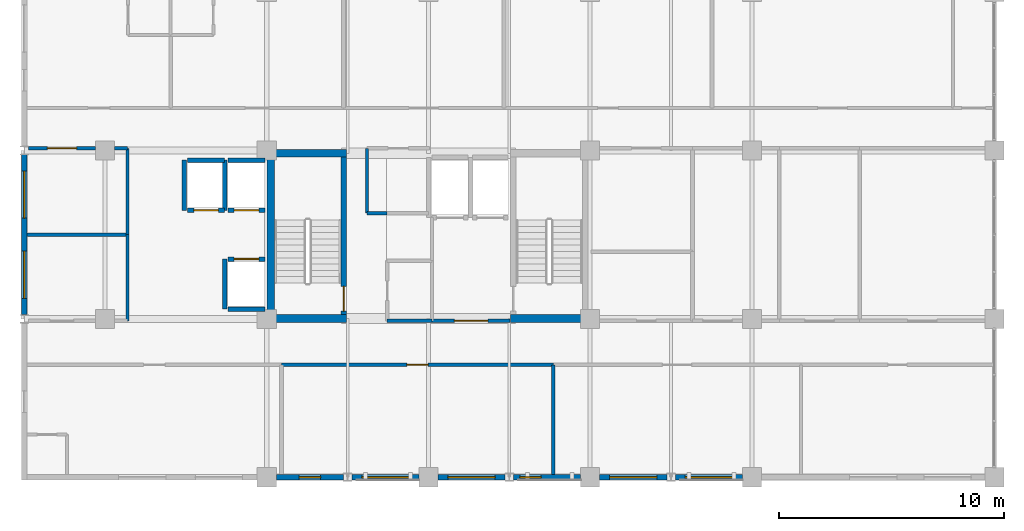
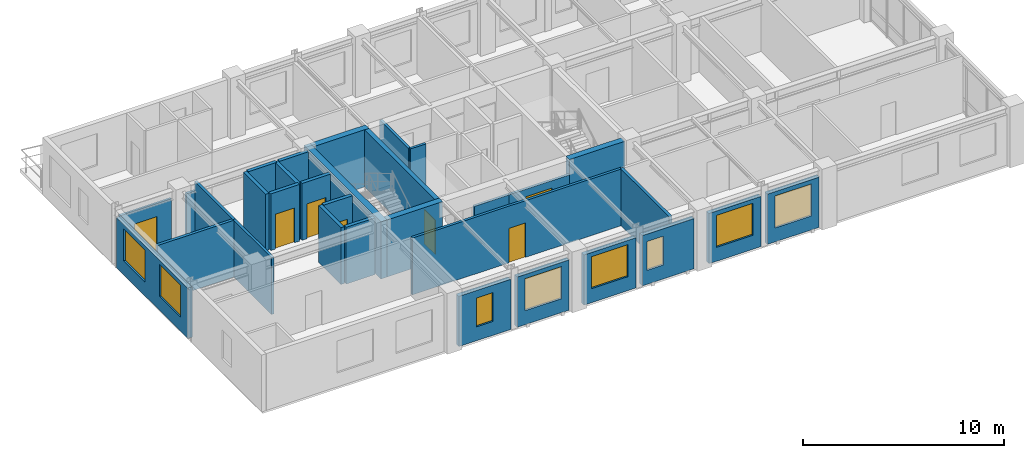
# One storey, part 6 of 11: 32 walls, 8 windows, 7 doors, 15 openings.
"""IFC4 building model written with IfcOpenShell, lengths in metres."""

from ifc_helpers import new_model, si_unit, direction, frame, frame_2d, origin, place, context, subcontext, project, spatial, rectangle, extrude, material, layer, layer_set, type_object, element, fill, save


model = new_model("IFC4")

# Units and contexts
model_context = context("Model", 3, precision=1e-05, world=origin(), true_north=direction((0.0, 1.0)))
body_context = subcontext(model_context, "Body", "Model", "MODEL_VIEW")
ifc_project = project(units=[si_unit("LENGTHUNIT", "METRE"), si_unit("AREAUNIT", "SQUARE_METRE"), si_unit("VOLUMEUNIT", "CUBIC_METRE"), si_unit("PLANEANGLEUNIT", "RADIAN"), si_unit("MASSUNIT", "GRAM", prefix="KILO")], contexts=[model_context])

# Site, building, storey
site_placement = place(None, origin())
site = spatial("IfcSite", under=ifc_project, at=site_placement, CompositionType="ELEMENT")
building_placement = place(site_placement, origin())
building = spatial("IfcBuilding", under=site, at=building_placement, Name="Kaliganga Portal Commons", CompositionType="ELEMENT")
storey_placement = place(building_placement, frame((0.0, 0.0, 272.10009765625)))
storey = spatial("IfcBuildingStorey", under=building, at=storey_placement, Name="L70", CompositionType="ELEMENT", Elevation=272.10009765625)

# Walls
ifc_material_1 = material(Name="Concrete C50/60", Category="concrete")
ifc_layer_1 = layer(ifc_material_1, 0.35009765625)
ifc_layer_set_1 = layer_set([ifc_layer_1], Name="Concrete C50/60")
wall_type_1 = type_object("IfcWallType", Name="WL-CORE-350", PredefinedType="SHEAR", material=ifc_layer_set_1)
wall_1_placement = place(storey_placement, frame((14.574951171875, 28.5, 0.0), z_axis=(0.0, 0.0, 1.0), x_axis=(0.0, 1.0, 0.0)))
element("IfcWall", 1, at=wall_1_placement, inside=storey, type_object=wall_type_1, Name="Core A West Shear Wall L70", PredefinedType="SHEAR", context=body_context, shape_type="SweptSolid", body=[
    extrude(rectangle(XDim=7.699951171875, YDim=0.35009765625, at=frame_2d((3.85009765625, 0.0))), origin(), (0.0, 0.0, 1.0), 3.474853515625),
])
for number, where, z_axis, x_axis, name in (
    (2, (14.75, 28.675048828125, 0.0), (0.0, 0.0, 1.0), (1.0, 0.0, 0.0), "Core A S-West Shear Wall L70"),
    (3, (25.25, 28.675048828125, 0.0), (0.0, 0.0, 1.0), (1.0, 0.0, 0.0), "Core A S-East Shear Wall L70"),
    (4, (14.75, 36.02490234375, 0.0), (0.0, 0.0, 1.0), (1.0, 0.0, 0.0), "Core A N-West Shear Wall L70"),
):
    element("IfcWall", number, at=place(storey_placement, frame(where, z_axis=z_axis, x_axis=x_axis)), inside=storey, type_object=wall_type_1, Name=name, PredefinedType="SHEAR", context=body_context, shape_type="SweptSolid", body=[
        extrude(rectangle(XDim=3.199951171875, YDim=0.35009765625, at=frame_2d((1.60009765625, 0.0))), origin(), (0.0, 0.0, 1.0), 3.474853515625),
    ])

# Wall, opening, window
ifc_material_2 = material(Name="Insulated Aluminium-Clad Spandrel Assembly", Category="aluminium")
ifc_layer_2 = layer(ifc_material_2, 0.260009765625)
ifc_layer_set_2 = layer_set([ifc_layer_2], Name="Insulated Aluminium-Clad Spandrel Assembly")
wall_type_2 = type_object("IfcWallType", Name="WL-EXT-SPAND-260", PredefinedType="STANDARD", material=ifc_layer_set_2)
wall_2_placement = place(storey_placement, frame((17.81201171875, 21.60009765625, 0.0), z_axis=(0.0, 0.0, 1.0), x_axis=(-1.0, 0.0, 0.0)))
wall_2 = element("IfcWall", 5, at=wall_2_placement, inside=storey, type_object=wall_type_2, Name="Exterior Envelope Wall L70 P1-E00-S2", PredefinedType="STANDARD", context=body_context, shape_type="SweptSolid", body=[
    extrude(rectangle(XDim=2.986083984375, YDim=0.260009765625, at=frame_2d((1.4931640625, 0.0))), origin(), (0.0, 0.0, 1.0), 3.054931640625),
])
opening_1_placement = place(wall_2_placement, frame((1.01806640625, 0.0, 0.85009765625)))
opening_1 = element("IfcOpeningElement", 6, at=opening_1_placement, cuts=wall_2, Name="Opening W-04", PredefinedType="OPENING", context=body_context, shape_type="SweptSolid", body=[
    extrude(rectangle(XDim=0.949951171875, YDim=1.75, at=frame_2d((0.47509765625, 0.875))), frame((0.0, 0.14013671875, 0.0), z_axis=(0.0, -1.0, 0.0), x_axis=(1.0, 0.0, 0.0)), (0.0, 0.0, 1.0), 0.280029296875),
])
ifc_material_3 = material(Name="Thermally Broken Aluminium and Low-E Double Glazing", Category="aluminium")
window_type_1 = type_object("IfcWindowType", Name="WIN-NARROW-950", PartitioningType="SINGLE_PANEL", PredefinedType="WINDOW", material=ifc_material_3)
window_1_placement = place(opening_1_placement, origin())
window_1 = element("IfcWindow", 7, at=window_1_placement, inside=storey, type_object=window_type_1, Name="Facade Window L70-P1E00S2-N0", OverallHeight=1.75, OverallWidth=0.949951171875, PartitioningType="SINGLE_PANEL", PredefinedType="WINDOW", context=body_context, shape_type="SweptSolid", body=[
    extrude(rectangle(XDim=0.949951171875, YDim=1.75, at=frame_2d((0.47509765625, 0.875))), frame((0.0, 0.030029296875, 0.0), z_axis=(0.0, -1.0, 0.0), x_axis=(1.0, 0.0, 0.0)), (0.0, 0.0, 1.0), 0.06005859375),
])
fill(opening_1, window_1)

wall_3_placement = place(storey_placement, frame((21.174072265625, 21.60009765625, 0.0), z_axis=(0.0, 0.0, 1.0), x_axis=(-1.0, 0.0, 0.0)))
wall_3 = element("IfcWall", 8, at=wall_3_placement, inside=storey, type_object=wall_type_2, Name="Exterior Envelope Wall L70 P1-E00-S3", PredefinedType="STANDARD", context=body_context, shape_type="SweptSolid", body=[
    extrude(rectangle(XDim=2.986083984375, YDim=0.260009765625, at=frame_2d((1.4931640625, 0.0))), origin(), (0.0, 0.0, 1.0), 3.054931640625),
])
opening_2_placement = place(wall_3_placement, frame((0.443115234375, 0.0, 0.85009765625)))
opening_2 = element("IfcOpeningElement", 9, at=opening_2_placement, cuts=wall_3, Name="Opening W-06", PredefinedType="OPENING", context=body_context, shape_type="SweptSolid", body=[
    extrude(rectangle(XDim=2.10009765625, YDim=1.949951171875, at=frame_2d((1.050048828125, 0.97509765625))), frame((0.0, 0.14013671875, 0.0), z_axis=(0.0, -1.0, 0.0), x_axis=(1.0, 0.0, 0.0)), (0.0, 0.0, 1.0), 0.280029296875),
])
window_type_2 = type_object("IfcWindowType", Name="WIN-PAN-2100", PartitioningType="DOUBLE_PANEL_VERTICAL", PredefinedType="WINDOW", material=ifc_material_3)
window_2_placement = place(opening_2_placement, origin())
window_2 = element("IfcWindow", 10, at=window_2_placement, inside=storey, type_object=window_type_2, Name="Facade Window L70-P1E00S3-00", OverallHeight=1.949951171875, OverallWidth=2.10009765625, PartitioningType="SINGLE_PANEL", PredefinedType="WINDOW", context=body_context, shape_type="SweptSolid", body=[
    extrude(rectangle(XDim=2.10009765625, YDim=1.949951171875, at=frame_2d((1.050048828125, 0.97509765625))), frame((0.0, 0.030029296875, 0.0), z_axis=(0.0, -1.0, 0.0), x_axis=(1.0, 0.0, 0.0)), (0.0, 0.0, 1.0), 0.06005859375),
])
fill(opening_2, window_2)

wall_4_placement = place(storey_placement, frame((25.011962890625, 21.60009765625, 0.0), z_axis=(0.0, 0.0, 1.0), x_axis=(-1.0, 0.0, 0.0)))
wall_4 = element("IfcWall", 11, at=wall_4_placement, inside=storey, type_object=wall_type_2, Name="Exterior Envelope Wall L70 P1-E00-S4", PredefinedType="STANDARD", context=body_context, shape_type="SweptSolid", body=[
    extrude(rectangle(XDim=2.986083984375, YDim=0.260009765625, at=frame_2d((1.4931640625, 0.0))), origin(), (0.0, 0.0, 1.0), 3.054931640625),
])
opening_3_placement = place(wall_4_placement, frame((0.443115234375, 0.0, 0.85009765625)))
opening_3 = element("IfcOpeningElement", 12, at=opening_3_placement, cuts=wall_4, Name="Opening W-06", PredefinedType="OPENING", context=body_context, shape_type="SweptSolid", body=[
    extrude(rectangle(XDim=2.10009765625, YDim=1.949951171875, at=frame_2d((1.050048828125, 0.97509765625))), frame((0.0, 0.14013671875, 0.0), z_axis=(0.0, -1.0, 0.0), x_axis=(1.0, 0.0, 0.0)), (0.0, 0.0, 1.0), 0.280029296875),
])
window_3_placement = place(opening_3_placement, origin())
window_3 = element("IfcWindow", 13, at=window_3_placement, inside=storey, type_object=window_type_2, Name="Facade Window L70-P1E00S4-00", OverallHeight=1.949951171875, OverallWidth=2.10009765625, PartitioningType="SINGLE_PANEL", PredefinedType="WINDOW", context=body_context, shape_type="SweptSolid", body=[
    extrude(rectangle(XDim=2.10009765625, YDim=1.949951171875, at=frame_2d((1.050048828125, 0.97509765625))), frame((0.0, 0.030029296875, 0.0), z_axis=(0.0, -1.0, 0.0), x_axis=(1.0, 0.0, 0.0)), (0.0, 0.0, 1.0), 0.06005859375),
])
fill(opening_3, window_3)

wall_5_placement = place(storey_placement, frame((28.3740234375, 21.60009765625, 0.0), z_axis=(0.0, 0.0, 1.0), x_axis=(-1.0, 0.0, 0.0)))
wall_5 = element("IfcWall", 14, at=wall_5_placement, inside=storey, type_object=wall_type_2, Name="Exterior Envelope Wall L70 P1-E00-S5", PredefinedType="STANDARD", context=body_context, shape_type="SweptSolid", body=[
    extrude(rectangle(XDim=2.986083984375, YDim=0.260009765625, at=frame_2d((1.4931640625, 0.0))), origin(), (0.0, 0.0, 1.0), 3.054931640625),
])
opening_4_placement = place(wall_5_placement, frame((1.758544921875, 0.0, 0.85009765625)))
opening_4 = element("IfcOpeningElement", 15, at=opening_4_placement, cuts=wall_5, Name="Opening W-04", PredefinedType="OPENING", context=body_context, shape_type="SweptSolid", body=[
    extrude(rectangle(XDim=0.949951171875, YDim=1.75, at=frame_2d((0.47509765625, 0.875))), frame((0.0, 0.14013671875, 0.0), z_axis=(0.0, -1.0, 0.0), x_axis=(1.0, 0.0, 0.0)), (0.0, 0.0, 1.0), 0.280029296875),
])
window_4_placement = place(opening_4_placement, origin())
window_4 = element("IfcWindow", 16, at=window_4_placement, inside=storey, type_object=window_type_1, Name="Facade Window L70-P1E00S5-N2", OverallHeight=1.75, OverallWidth=0.949951171875, PartitioningType="SINGLE_PANEL", PredefinedType="WINDOW", context=body_context, shape_type="SweptSolid", body=[
    extrude(rectangle(XDim=0.949951171875, YDim=1.75, at=frame_2d((0.47509765625, 0.875))), frame((0.0, 0.030029296875, 0.0), z_axis=(0.0, -1.0, 0.0), x_axis=(1.0, 0.0, 0.0)), (0.0, 0.0, 1.0), 0.06005859375),
])
fill(opening_4, window_4)

wall_6_placement = place(storey_placement, frame((32.2119140625, 21.60009765625, 0.0), z_axis=(0.0, 0.0, 1.0), x_axis=(-1.0, 0.0, 0.0)))
wall_6 = element("IfcWall", 17, at=wall_6_placement, inside=storey, type_object=wall_type_2, Name="Exterior Envelope Wall L70 P1-E00-S6", PredefinedType="STANDARD", context=body_context, shape_type="SweptSolid", body=[
    extrude(rectangle(XDim=2.98583984375, YDim=0.260009765625, at=frame_2d((1.492919921875, 0.0))), origin(), (0.0, 0.0, 1.0), 3.054931640625),
])
opening_5_placement = place(wall_6_placement, frame((0.443115234375, 0.0, 0.85009765625)))
opening_5 = element("IfcOpeningElement", 18, at=opening_5_placement, cuts=wall_6, Name="Opening W-06", PredefinedType="OPENING", context=body_context, shape_type="SweptSolid", body=[
    extrude(rectangle(XDim=2.10009765625, YDim=1.949951171875, at=frame_2d((1.050048828125, 0.97509765625))), frame((0.0, 0.14013671875, 0.0), z_axis=(0.0, -1.0, 0.0), x_axis=(1.0, 0.0, 0.0)), (0.0, 0.0, 1.0), 0.280029296875),
])
window_5_placement = place(opening_5_placement, origin())
window_5 = element("IfcWindow", 19, at=window_5_placement, inside=storey, type_object=window_type_2, Name="Facade Window L70-P1E00S6-00", OverallHeight=1.949951171875, OverallWidth=2.10009765625, PartitioningType="SINGLE_PANEL", PredefinedType="WINDOW", context=body_context, shape_type="SweptSolid", body=[
    extrude(rectangle(XDim=2.10009765625, YDim=1.949951171875, at=frame_2d((1.050048828125, 0.97509765625))), frame((0.0, 0.030029296875, 0.0), z_axis=(0.0, -1.0, 0.0), x_axis=(1.0, 0.0, 0.0)), (0.0, 0.0, 1.0), 0.06005859375),
])
fill(opening_5, window_5)

wall_7_placement = place(storey_placement, frame((35.573974609375, 21.60009765625, 0.0), z_axis=(0.0, 0.0, 1.0), x_axis=(-1.0, 0.0, 0.0)))
wall_7 = element("IfcWall", 20, at=wall_7_placement, inside=storey, type_object=wall_type_2, Name="Exterior Envelope Wall L70 P1-E00-S7", PredefinedType="STANDARD", context=body_context, shape_type="SweptSolid", body=[
    extrude(rectangle(XDim=2.986083984375, YDim=0.260009765625, at=frame_2d((1.4931640625, 0.0))), origin(), (0.0, 0.0, 1.0), 3.054931640625),
])
opening_6_placement = place(wall_7_placement, frame((0.443115234375, 0.0, 0.85009765625)))
opening_6 = element("IfcOpeningElement", 21, at=opening_6_placement, cuts=wall_7, Name="Opening W-06", PredefinedType="OPENING", context=body_context, shape_type="SweptSolid", body=[
    extrude(rectangle(XDim=2.10009765625, YDim=1.949951171875, at=frame_2d((1.050048828125, 0.97509765625))), frame((0.0, 0.14013671875, 0.0), z_axis=(0.0, -1.0, 0.0), x_axis=(1.0, 0.0, 0.0)), (0.0, 0.0, 1.0), 0.280029296875),
])
window_6_placement = place(opening_6_placement, origin())
window_6 = element("IfcWindow", 22, at=window_6_placement, inside=storey, type_object=window_type_2, Name="Facade Window L70-P1E00S7-00", OverallHeight=1.949951171875, OverallWidth=2.10009765625, PartitioningType="SINGLE_PANEL", PredefinedType="WINDOW", context=body_context, shape_type="SweptSolid", body=[
    extrude(rectangle(XDim=2.10009765625, YDim=1.949951171875, at=frame_2d((1.050048828125, 0.97509765625))), frame((0.0, 0.030029296875, 0.0), z_axis=(0.0, -1.0, 0.0), x_axis=(1.0, 0.0, 0.0)), (0.0, 0.0, 1.0), 0.06005859375),
])
fill(opening_6, window_6)

# Wall, openings, windows
wall_8_placement = place(storey_placement, frame((3.60009765625, 28.8369140625, 0.0), z_axis=(0.0, 0.0, 1.0), x_axis=(0.0, 1.0, 0.0)))
wall_8 = element("IfcWall", 23, at=wall_8_placement, inside=storey, type_object=wall_type_2, Name="Exterior Envelope Wall L70 P1-E03-S2", PredefinedType="STANDARD", context=body_context, shape_type="SweptSolid", body=[
    extrude(rectangle(XDim=7.1259765625, YDim=0.260009765625, at=frame_2d((3.56298828125, 0.0))), origin(), (0.0, 0.0, 1.0), 3.054931640625),
])
opening_7_placement = place(wall_8_placement, frame((0.7314453125, 0.0, 0.85009765625)))
opening_7 = element("IfcOpeningElement", 24, at=opening_7_placement, cuts=wall_8, Name="Opening W-06", PredefinedType="OPENING", context=body_context, shape_type="SweptSolid", body=[
    extrude(rectangle(XDim=2.10009765625, YDim=1.949951171875, at=frame_2d((1.050048828125, 0.97509765625))), frame((0.0, 0.14013671875, 0.0), z_axis=(0.0, -1.0, 0.0), x_axis=(1.0, 0.0, 0.0)), (0.0, 0.0, 1.0), 0.280029296875),
])
opening_8_placement = place(wall_8_placement, frame((4.29443359375, 0.0, 0.85009765625)))
opening_8 = element("IfcOpeningElement", 25, at=opening_8_placement, cuts=wall_8, Name="Opening W-06", PredefinedType="OPENING", context=body_context, shape_type="SweptSolid", body=[
    extrude(rectangle(XDim=2.10009765625, YDim=1.949951171875, at=frame_2d((1.050048828125, 0.97509765625))), frame((0.0, 0.14013671875, 0.0), z_axis=(0.0, -1.0, 0.0), x_axis=(1.0, 0.0, 0.0)), (0.0, 0.0, 1.0), 0.280029296875),
])
window_7_placement = place(opening_7_placement, origin())
window_7 = element("IfcWindow", 26, at=window_7_placement, inside=storey, type_object=window_type_2, Name="Facade Window L70-P1E03S2-00", OverallHeight=1.949951171875, OverallWidth=2.10009765625, PartitioningType="SINGLE_PANEL", PredefinedType="WINDOW", context=body_context, shape_type="SweptSolid", body=[
    extrude(rectangle(XDim=2.10009765625, YDim=1.949951171875, at=frame_2d((1.050048828125, 0.97509765625))), frame((0.0, 0.030029296875, 0.0), z_axis=(0.0, -1.0, 0.0), x_axis=(1.0, 0.0, 0.0)), (0.0, 0.0, 1.0), 0.06005859375),
])
fill(opening_7, window_7)
window_8_placement = place(opening_8_placement, origin())
window_8 = element("IfcWindow", 27, at=window_8_placement, inside=storey, type_object=window_type_2, Name="Facade Window L70-P1E03S2-01", OverallHeight=1.949951171875, OverallWidth=2.10009765625, PartitioningType="SINGLE_PANEL", PredefinedType="WINDOW", context=body_context, shape_type="SweptSolid", body=[
    extrude(rectangle(XDim=2.10009765625, YDim=1.949951171875, at=frame_2d((1.050048828125, 0.97509765625))), frame((0.0, 0.030029296875, 0.0), z_axis=(0.0, -1.0, 0.0), x_axis=(1.0, 0.0, 0.0)), (0.0, 0.0, 1.0), 0.06005859375),
])
fill(opening_8, window_8)

# Wall, opening, door
ifc_material_4 = material(Name="Fire-Rated Gypsum Board on Steel Stud", Category="steel")
ifc_layer_3 = layer(ifc_material_4, 0.14990234375)
ifc_layer_set_3 = layer_set([ifc_layer_3], Name="Fire-Rated Gypsum Board on Steel Stud")
wall_type_3 = type_object("IfcWallType", Name="WL-PART-CORR-150", PredefinedType="PARTITIONING", material=ifc_layer_set_3)
wall_9_placement = place(storey_placement, frame((15.06005859375, 26.60009765625, 0.0), z_axis=(0.0, 0.0, 1.0), x_axis=(1.0, 0.0, 0.0)))
wall_9 = element("IfcWall", 28, at=wall_9_placement, inside=storey, type_object=wall_type_3, Name="Interior Partition L70-008", PredefinedType="PARTITIONING", context=body_context, shape_type="SweptSolid", body=[
    extrude(rectangle(XDim=12.099853515625, YDim=0.14990234375, at=frame_2d((6.0498046875, 0.0))), origin(), (0.0, 0.0, 1.0), 3.454833984375),
])
opening_9_placement = place(wall_9_placement, frame((5.574951171875, 0.0, 0.0)))
opening_9 = element("IfcOpeningElement", 29, at=opening_9_placement, cuts=wall_9, Name="Opening UD-01", PredefinedType="OPENING", context=body_context, shape_type="SweptSolid", body=[
    extrude(rectangle(XDim=0.949951171875, YDim=2.10009765625, at=frame_2d((0.47509765625, 1.050048828125))), frame((0.0, 0.0849609375, 0.0), z_axis=(0.0, -1.0, 0.0), x_axis=(1.0, 0.0, 0.0)), (0.0, 0.0, 1.0), 0.169921875),
])
ifc_material_5 = material(Name="Solid-Core Timber Acoustic Fire Door", Category="wood")
door_type_1 = type_object("IfcDoorType", Name="DR-UNIT-950", OperationType="NOTDEFINED", PredefinedType="DOOR", material=ifc_material_5)
door_1_placement = place(opening_9_placement, origin())
door_1 = element("IfcDoor", 30, at=door_1_placement, inside=storey, type_object=door_type_1, Name="Interior Door L70-AS02", OperationType="SINGLE_SWING_RIGHT", OverallHeight=2.10009765625, OverallWidth=0.949951171875, PredefinedType="DOOR", context=body_context, shape_type="SweptSolid", body=[
    extrude(rectangle(XDim=0.949951171875, YDim=2.10009765625, at=frame_2d((0.47509765625, 1.050048828125))), frame((0.0, 0.02490234375, 0.0), z_axis=(0.0, -1.0, 0.0), x_axis=(1.0, 0.0, 0.0)), (0.0, 0.0, 1.0), 0.050048828125),
])
fill(opening_9, door_1)

wall_10_placement = place(storey_placement, frame((3.787109375, 36.239990234375, 0.0), z_axis=(0.0, 0.0, 1.0), x_axis=(1.0, 0.0, 0.0)))
wall_10 = element("IfcWall", 31, at=wall_10_placement, inside=storey, type_object=wall_type_3, Name="Interior Partition L70-021", PredefinedType="PARTITIONING", context=body_context, shape_type="SweptSolid", body=[
    extrude(rectangle(XDim=2.98779296875, YDim=0.14990234375, at=frame_2d((1.493896484375, 0.0))), origin(), (0.0, 0.0, 1.0), 2.90478515625),
])
opening_10_placement = place(wall_10_placement, frame((0.843994140625, 0.0, 0.0)))
opening_10 = element("IfcOpeningElement", 32, at=opening_10_placement, cuts=wall_10, Name="Opening RD-03", PredefinedType="OPENING", context=body_context, shape_type="SweptSolid", body=[
    extrude(rectangle(XDim=1.300048828125, YDim=2.1201171875, at=frame_2d((0.64990234375, 1.06005859375))), frame((0.0, 0.0849609375, 0.0), z_axis=(0.0, -1.0, 0.0), x_axis=(1.0, 0.0, 0.0)), (0.0, 0.0, 1.0), 0.169921875),
])
ifc_material_6 = material(Name="Glazed Timber Seminar Vision Door", Category="wood")
door_type_2 = type_object("IfcDoorType", Name="DR-STUDY-1300", OperationType="DOUBLE_DOOR_SINGLE_SWING", PredefinedType="DOOR", material=ifc_material_6)
door_2_placement = place(opening_10_placement, origin())
door_2 = element("IfcDoor", 33, at=door_2_placement, inside=storey, type_object=door_type_2, Name="Interior Door L70-AW02", OperationType="DOUBLE_DOOR_SINGLE_SWING", OverallHeight=2.1201171875, OverallWidth=1.300048828125, PredefinedType="DOOR", context=body_context, shape_type="SweptSolid", body=[
    extrude(rectangle(XDim=1.300048828125, YDim=2.1201171875, at=frame_2d((0.64990234375, 1.06005859375))), frame((0.0, 0.02490234375, 0.0), z_axis=(0.0, -1.0, 0.0), x_axis=(1.0, 0.0, 0.0)), (0.0, 0.0, 1.0), 0.050048828125),
])
fill(opening_10, door_2)

# Walls
wall_11_placement = place(storey_placement, frame((7.625, 36.239990234375, 0.0), z_axis=(0.0, 0.0, 1.0), x_axis=(1.0, 0.0, 0.0)))
element("IfcWall", 34, at=wall_11_placement, inside=storey, type_object=wall_type_3, Name="Interior Partition L70-022", PredefinedType="PARTITIONING", context=body_context, shape_type="SweptSolid", body=[
    extrude(rectangle(XDim=0.574951171875, YDim=0.14990234375, at=frame_2d((0.28759765625, 0.0))), origin(), (0.0, 0.0, 1.0), 2.90478515625),
])
wall_12_placement = place(storey_placement, frame((8.199951171875, 32.39990234375, 0.0), z_axis=(0.0, 0.0, 1.0), x_axis=(0.0, 1.0, 0.0)))
element("IfcWall", 35, at=wall_12_placement, inside=storey, type_object=wall_type_3, Name="Interior Partition L70-029", PredefinedType="PARTITIONING", context=body_context, shape_type="SweptSolid", body=[
    extrude(rectangle(XDim=3.840087890625, YDim=0.14990234375, at=frame_2d((1.919921875, 0.0))), origin(), (0.0, 0.0, 1.0), 3.454833984375),
])
wall_13_placement = place(storey_placement, frame((8.199951171875, 28.56005859375, 0.0), z_axis=(0.0, 0.0, 1.0), x_axis=(0.0, 1.0, 0.0)))
element("IfcWall", 36, at=wall_13_placement, inside=storey, type_object=wall_type_3, Name="Interior Partition L70-030", PredefinedType="PARTITIONING", context=body_context, shape_type="SweptSolid", body=[
    extrude(rectangle(XDim=3.83984375, YDim=0.14990234375, at=frame_2d((1.919921875, 0.0))), origin(), (0.0, 0.0, 1.0), 3.454833984375),
])
wall_14_placement = place(storey_placement, frame((18.860107421875, 33.360107421875, 0.0), z_axis=(0.0, 0.0, 1.0), x_axis=(0.0, 1.0, 0.0)))
element("IfcWall", 37, at=wall_14_placement, inside=storey, type_object=wall_type_3, Name="Interior Partition L70-033", PredefinedType="PARTITIONING", context=body_context, shape_type="SweptSolid", body=[
    extrude(rectangle(XDim=2.8798828125, YDim=0.14990234375, at=frame_2d((1.43994140625, 0.0))), origin(), (0.0, 0.0, 1.0), 3.454833984375),
])
wall_15_placement = place(storey_placement, frame((19.760009765625, 28.56005859375, 0.0), z_axis=(0.0, 0.0, 1.0), x_axis=(1.0, 0.0, 0.0)))
element("IfcWall", 38, at=wall_15_placement, inside=storey, type_object=wall_type_3, Name="Interior Partition L70-037", PredefinedType="PARTITIONING", context=body_context, shape_type="SweptSolid", body=[
    extrude(rectangle(XDim=2.0, YDim=0.14990234375, at=frame_2d((1.0, 0.0))), origin(), (0.0, 0.0, 1.0), 2.554931640625),
])
wall_16_placement = place(storey_placement, frame((18.860107421875, 33.360107421875, 0.0), z_axis=(0.0, 0.0, 1.0), x_axis=(1.0, 0.0, 0.0)))
element("IfcWall", 39, at=wall_16_placement, inside=storey, type_object=wall_type_3, Name="Interior Partition L70-041", PredefinedType="PARTITIONING", context=body_context, shape_type="SweptSolid", body=[
    extrude(rectangle(XDim=0.89990234375, YDim=0.14990234375, at=frame_2d((0.449951171875, 0.0))), origin(), (0.0, 0.0, 1.0), 3.454833984375),
])

# Wall, opening, door
wall_17_placement = place(storey_placement, frame((21.760009765625, 28.56005859375, 0.0), z_axis=(0.0, 0.0, 1.0), x_axis=(1.0, 0.0, 0.0)))
wall_17 = element("IfcWall", 40, at=wall_17_placement, inside=storey, type_object=wall_type_3, Name="Interior Partition L70-054", PredefinedType="PARTITIONING", context=body_context, shape_type="SweptSolid", body=[
    extrude(rectangle(XDim=3.47998046875, YDim=0.14990234375, at=frame_2d((1.739990234375, 0.0))), origin(), (0.0, 0.0, 1.0), 2.554931640625),
])
opening_11_placement = place(wall_17_placement, frame((0.989990234375, 0.0, 0.0)))
opening_11 = element("IfcOpeningElement", 41, at=opening_11_placement, cuts=wall_17, Name="Opening FD-01", PredefinedType="OPENING", context=body_context, shape_type="SweptSolid", body=[
    extrude(rectangle(XDim=1.5, YDim=2.10009765625, at=frame_2d((0.75, 1.050048828125))), frame((0.0, 0.0849609375, 0.0), z_axis=(0.0, -1.0, 0.0), x_axis=(1.0, 0.0, 0.0)), (0.0, 0.0, 1.0), 0.169921875),
])
ifc_material_7 = material(Name="Fire-Rated Hardwood and Georgian-Wired Vision Panel", Category="wood")
door_type_3 = type_object("IfcDoorType", Name="DR-LOBBY-1500", OperationType="DOUBLE_DOOR_SINGLE_SWING", PredefinedType="DOOR", material=ifc_material_7)
door_3_placement = place(opening_11_placement, origin())
door_3 = element("IfcDoor", 42, at=door_3_placement, inside=storey, type_object=door_type_3, Name="Interior Door L70-FFLOB_A", OperationType="DOUBLE_DOOR_SINGLE_SWING", OverallHeight=2.10009765625, OverallWidth=1.5, PredefinedType="DOOR", context=body_context, shape_type="SweptSolid", body=[
    extrude(rectangle(XDim=1.5, YDim=2.10009765625, at=frame_2d((0.75, 1.050048828125))), frame((0.0, 0.02490234375, 0.0), z_axis=(0.0, -1.0, 0.0), x_axis=(1.0, 0.0, 0.0)), (0.0, 0.0, 1.0), 0.050048828125),
])
fill(opening_11, door_3)

# Walls
ifc_material_8 = material(Name="Twin-Stud Acoustic Gypsum Partition", Category="gypsum")
ifc_layer_4 = layer(ifc_material_8, 0.1650390625)
ifc_layer_set_4 = layer_set([ifc_layer_4], Name="Twin-Stud Acoustic Gypsum Partition")
wall_type_4 = type_object("IfcWallType", Name="WL-PART-UNIT-165", PredefinedType="PARTITIONING", material=ifc_layer_set_4)
wall_18_placement = place(storey_placement, frame((27.159912109375, 21.73193359375, 0.0), z_axis=(0.0, 0.0, 1.0), x_axis=(0.0, 1.0, 0.0)))
element("IfcWall", 43, at=wall_18_placement, inside=storey, type_object=wall_type_4, Name="Interior Partition L70-049", PredefinedType="PARTITIONING", context=body_context, shape_type="SweptSolid", body=[
    extrude(rectangle(XDim=4.8681640625, YDim=0.1650390625, at=frame_2d((2.43408203125, 0.0))), origin(), (0.0, 0.0, 1.0), 3.454833984375),
])
wall_19_placement = place(storey_placement, frame((3.73193359375, 32.39990234375, 0.0), z_axis=(0.0, 0.0, 1.0), x_axis=(1.0, 0.0, 0.0)))
element("IfcWall", 44, at=wall_19_placement, inside=storey, type_object=wall_type_4, Name="Interior Partition L70-052", PredefinedType="PARTITIONING", context=body_context, shape_type="SweptSolid", body=[
    extrude(rectangle(XDim=4.468017578125, YDim=0.1650390625, at=frame_2d((2.23388671875, 0.0))), origin(), (0.0, 0.0, 1.0), 3.454833984375),
])

# Wall, opening, door
ifc_material_9 = material(Name="Fire-Rated Shaftwall Masonry Assembly", Category="masonry")
ifc_layer_5 = layer(ifc_material_9, 0.199951171875)
ifc_layer_set_5 = layer_set([ifc_layer_5], Name="Fire-Rated Shaftwall Masonry Assembly")
wall_type_5 = type_object("IfcWallType", Name="WL-SHAFT-200", PredefinedType="PARTITIONING", material=ifc_layer_set_5)
wall_20_placement = place(storey_placement, frame((12.675048828125, 33.485107421875, 0.0), z_axis=(0.0, 0.0, 1.0), x_axis=(1.0, 0.0, 0.0)))
wall_20 = element("IfcWall", 45, at=wall_20_placement, inside=storey, type_object=wall_type_5, Name="Lift PL-A3 Hoistway Shaft Wall L70-S", PredefinedType="PARTITIONING", context=body_context, shape_type="SweptSolid", body=[
    extrude(rectangle(XDim=1.64990234375, YDim=0.199951171875, at=frame_2d((0.824951171875, 0.0))), origin(), (0.0, 0.0, 1.0), 3.454833984375),
])
opening_12_placement = place(wall_20_placement, frame((0.27490234375, 0.0, 0.0)))
opening_12 = element("IfcOpeningElement", 46, at=opening_12_placement, cuts=wall_20, Name="Opening LD-01", PredefinedType="OPENING", context=body_context, shape_type="SweptSolid", body=[
    extrude(rectangle(XDim=1.10009765625, YDim=2.1201171875, at=frame_2d((0.550048828125, 1.06005859375))), frame((0.0, 0.10986328125, 0.0), z_axis=(0.0, -1.0, 0.0), x_axis=(1.0, 0.0, 0.0)), (0.0, 0.0, 1.0), 0.219970703125),
])
ifc_material_10 = material(Name="Brushed Stainless Steel 316 Lift Landing Door", Category="steel")
door_type_4 = type_object("IfcDoorType", Name="DR-LIFT-1100", OperationType="SLIDING_TO_LEFT", PredefinedType="DOOR", material=ifc_material_10)
door_4_placement = place(opening_12_placement, origin())
door_4 = element("IfcDoor", 47, at=door_4_placement, inside=storey, type_object=door_type_4, Name="Lift PL-A3 Sliding Landing Door L70", OperationType="SLIDING_TO_LEFT", OverallHeight=2.1201171875, OverallWidth=1.10009765625, PredefinedType="DOOR", context=body_context, shape_type="SweptSolid", body=[
    extrude(rectangle(XDim=1.10009765625, YDim=2.1201171875, at=frame_2d((0.550048828125, 1.06005859375))), frame((0.0, 0.02490234375, 0.0), z_axis=(0.0, -1.0, 0.0), x_axis=(1.0, 0.0, 0.0)), (0.0, 0.0, 1.0), 0.050048828125),
])
fill(opening_12, door_4)

# Walls
wall_21_placement = place(storey_placement, frame((12.675048828125, 35.715087890625, 0.0), z_axis=(0.0, 0.0, 1.0), x_axis=(1.0, 0.0, 0.0)))
element("IfcWall", 48, at=wall_21_placement, inside=storey, type_object=wall_type_5, Name="Lift PL-A3 Hoistway Shaft Wall L70-N", PredefinedType="PARTITIONING", context=body_context, shape_type="SweptSolid", body=[
    extrude(rectangle(XDim=1.64990234375, YDim=0.199951171875, at=frame_2d((0.824951171875, 0.0))), origin(), (0.0, 0.0, 1.0), 3.454833984375),
])
wall_22_placement = place(storey_placement, frame((12.534912109375, 33.485107421875, 0.0), z_axis=(0.0, 0.0, 1.0), x_axis=(0.0, 1.0, 0.0)))
element("IfcWall", 49, at=wall_22_placement, inside=storey, type_object=wall_type_5, Name="Lift PL-A3 Hoistway Shaft Wall L70-W", PredefinedType="PARTITIONING", context=body_context, shape_type="SweptSolid", body=[
    extrude(rectangle(XDim=2.22998046875, YDim=0.199951171875, at=frame_2d((1.114990234375, 0.0))), origin(), (0.0, 0.0, 1.0), 3.454833984375),
])
wall_23_placement = place(storey_placement, frame((12.675048828125, 29.0849609375, 0.0), z_axis=(0.0, 0.0, 1.0), x_axis=(1.0, 0.0, 0.0)))
element("IfcWall", 50, at=wall_23_placement, inside=storey, type_object=wall_type_5, Name="Lift PL-A4 Hoistway Shaft Wall L70-S", PredefinedType="PARTITIONING", context=body_context, shape_type="SweptSolid", body=[
    extrude(rectangle(XDim=1.64990234375, YDim=0.199951171875, at=frame_2d((0.824951171875, 0.0))), origin(), (0.0, 0.0, 1.0), 3.454833984375),
])

# Wall, opening, door
wall_24_placement = place(storey_placement, frame((12.675048828125, 31.31494140625, 0.0), z_axis=(0.0, 0.0, 1.0), x_axis=(1.0, 0.0, 0.0)))
wall_24 = element("IfcWall", 51, at=wall_24_placement, inside=storey, type_object=wall_type_5, Name="Lift PL-A4 Hoistway Shaft Wall L70-N", PredefinedType="PARTITIONING", context=body_context, shape_type="SweptSolid", body=[
    extrude(rectangle(XDim=1.64990234375, YDim=0.199951171875, at=frame_2d((0.824951171875, 0.0))), origin(), (0.0, 0.0, 1.0), 3.454833984375),
])
opening_13_placement = place(wall_24_placement, frame((0.27490234375, 0.0, 0.0)))
opening_13 = element("IfcOpeningElement", 52, at=opening_13_placement, cuts=wall_24, Name="Opening LD-01", PredefinedType="OPENING", context=body_context, shape_type="SweptSolid", body=[
    extrude(rectangle(XDim=1.10009765625, YDim=2.1201171875, at=frame_2d((0.550048828125, 1.06005859375))), frame((0.0, 0.10986328125, 0.0), z_axis=(0.0, -1.0, 0.0), x_axis=(1.0, 0.0, 0.0)), (0.0, 0.0, 1.0), 0.219970703125),
])
door_5_placement = place(opening_13_placement, origin())
door_5 = element("IfcDoor", 53, at=door_5_placement, inside=storey, type_object=door_type_4, Name="Lift PL-A4 Sliding Landing Door L70", OperationType="SLIDING_TO_LEFT", OverallHeight=2.1201171875, OverallWidth=1.10009765625, PredefinedType="DOOR", context=body_context, shape_type="SweptSolid", body=[
    extrude(rectangle(XDim=1.10009765625, YDim=2.1201171875, at=frame_2d((0.550048828125, 1.06005859375))), frame((0.0, 0.02490234375, 0.0), z_axis=(0.0, -1.0, 0.0), x_axis=(1.0, 0.0, 0.0)), (0.0, 0.0, 1.0), 0.050048828125),
])
fill(opening_13, door_5)

# Wall
wall_25_placement = place(storey_placement, frame((12.534912109375, 29.0849609375, 0.0), z_axis=(0.0, 0.0, 1.0), x_axis=(0.0, 1.0, 0.0)))
element("IfcWall", 54, at=wall_25_placement, inside=storey, type_object=wall_type_5, Name="Lift PL-A4 Hoistway Shaft Wall L70-W", PredefinedType="PARTITIONING", context=body_context, shape_type="SweptSolid", body=[
    extrude(rectangle(XDim=2.22998046875, YDim=0.199951171875, at=frame_2d((1.114990234375, 0.0))), origin(), (0.0, 0.0, 1.0), 3.454833984375),
])

# Wall, opening, door
wall_26_placement = place(storey_placement, frame((10.875, 33.485107421875, 0.0), z_axis=(0.0, 0.0, 1.0), x_axis=(1.0, 0.0, 0.0)))
wall_26 = element("IfcWall", 55, at=wall_26_placement, inside=storey, type_object=wall_type_5, Name="Lift PL-OBS Hoistway Shaft Wall L70-S", PredefinedType="PARTITIONING", context=body_context, shape_type="SweptSolid", body=[
    extrude(rectangle(XDim=1.64990234375, YDim=0.199951171875, at=frame_2d((0.824951171875, 0.0))), origin(), (0.0, 0.0, 1.0), 3.454833984375),
])
opening_14_placement = place(wall_26_placement, frame((0.27490234375, 0.0, 0.0)))
opening_14 = element("IfcOpeningElement", 56, at=opening_14_placement, cuts=wall_26, Name="Opening LD-01", PredefinedType="OPENING", context=body_context, shape_type="SweptSolid", body=[
    extrude(rectangle(XDim=1.10009765625, YDim=2.1201171875, at=frame_2d((0.550048828125, 1.06005859375))), frame((0.0, 0.10986328125, 0.0), z_axis=(0.0, -1.0, 0.0), x_axis=(1.0, 0.0, 0.0)), (0.0, 0.0, 1.0), 0.219970703125),
])
door_6_placement = place(opening_14_placement, origin())
door_6 = element("IfcDoor", 57, at=door_6_placement, inside=storey, type_object=door_type_4, Name="Lift PL-OBS Sliding Landing Door L70", OperationType="SLIDING_TO_LEFT", OverallHeight=2.1201171875, OverallWidth=1.10009765625, PredefinedType="DOOR", context=body_context, shape_type="SweptSolid", body=[
    extrude(rectangle(XDim=1.10009765625, YDim=2.1201171875, at=frame_2d((0.550048828125, 1.06005859375))), frame((0.0, 0.02490234375, 0.0), z_axis=(0.0, -1.0, 0.0), x_axis=(1.0, 0.0, 0.0)), (0.0, 0.0, 1.0), 0.050048828125),
])
fill(opening_14, door_6)

# Walls
wall_27_placement = place(storey_placement, frame((10.875, 35.715087890625, 0.0), z_axis=(0.0, 0.0, 1.0), x_axis=(1.0, 0.0, 0.0)))
element("IfcWall", 58, at=wall_27_placement, inside=storey, type_object=wall_type_5, Name="Lift PL-OBS Hoistway Shaft Wall L70-N", PredefinedType="PARTITIONING", context=body_context, shape_type="SweptSolid", body=[
    extrude(rectangle(XDim=1.64990234375, YDim=0.199951171875, at=frame_2d((0.824951171875, 0.0))), origin(), (0.0, 0.0, 1.0), 3.454833984375),
])
wall_28_placement = place(storey_placement, frame((10.735107421875, 33.485107421875, 0.0), z_axis=(0.0, 0.0, 1.0), x_axis=(0.0, 1.0, 0.0)))
element("IfcWall", 59, at=wall_28_placement, inside=storey, type_object=wall_type_5, Name="Lift PL-OBS Hoistway Shaft Wall L70-W", PredefinedType="PARTITIONING", context=body_context, shape_type="SweptSolid", body=[
    extrude(rectangle(XDim=2.22998046875, YDim=0.199951171875, at=frame_2d((1.114990234375, 0.0))), origin(), (0.0, 0.0, 1.0), 3.454833984375),
])

# Wall, opening, door
ifc_layer_6 = layer(ifc_material_1, 0.25)
ifc_layer_set_6 = layer_set([ifc_layer_6], Name="Concrete C50/60")
wall_type_6 = type_object("IfcWallType", Name="WL-STAIR-250", PredefinedType="SHEAR", material=ifc_layer_set_6)
wall_29_placement = place(storey_placement, frame((17.824951171875, 28.85009765625, 0.0), z_axis=(0.0, 0.0, 1.0), x_axis=(0.0, 1.0, 0.0)))
wall_29 = element("IfcWall", 60, at=wall_29_placement, inside=storey, type_object=wall_type_6, Name="Stair A1 Enclosure Shear Wall L70", PredefinedType="SHEAR", context=body_context, shape_type="SweptSolid", body=[
    extrude(rectangle(XDim=7.0, YDim=0.25, at=frame_2d((3.5, 0.0))), origin(), (0.0, 0.0, 1.0), 3.474853515625),
])
opening_15_placement = place(wall_29_placement, frame((0.14990234375, 0.0, 0.0)))
opening_15 = element("IfcOpeningElement", 61, at=opening_15_placement, cuts=wall_29, Name="Opening SD-01", PredefinedType="OPENING", context=body_context, shape_type="SweptSolid", body=[
    extrude(rectangle(XDim=1.10009765625, YDim=2.080078125, at=frame_2d((0.550048828125, 1.0400390625))), frame((0.0, 0.135009765625, 0.0), z_axis=(0.0, -1.0, 0.0), x_axis=(1.0, 0.0, 0.0)), (0.0, 0.0, 1.0), 0.27001953125),
])
ifc_material_11 = material(Name="Galvanized Steel Fire Door Leaf and Frame", Category="steel")
door_type_5 = type_object("IfcDoorType", Name="DR-STAIR-1100", OperationType="NOTDEFINED", PredefinedType="DOOR", material=ifc_material_11)
door_7_placement = place(opening_15_placement, origin())
door_7 = element("IfcDoor", 62, at=door_7_placement, inside=storey, type_object=door_type_5, Name="Protected Stair ST-A1 Fire Door L70", OperationType="SINGLE_SWING_RIGHT", OverallHeight=2.080078125, OverallWidth=1.10009765625, PredefinedType="DOOR", context=body_context, shape_type="SweptSolid", body=[
    extrude(rectangle(XDim=1.10009765625, YDim=2.080078125, at=frame_2d((0.550048828125, 1.0400390625))), frame((0.0, 0.02490234375, 0.0), z_axis=(0.0, -1.0, 0.0), x_axis=(1.0, 0.0, 0.0)), (0.0, 0.0, 1.0), 0.050048828125),
])
fill(opening_15, door_7)

save(model, "model.ifc")
